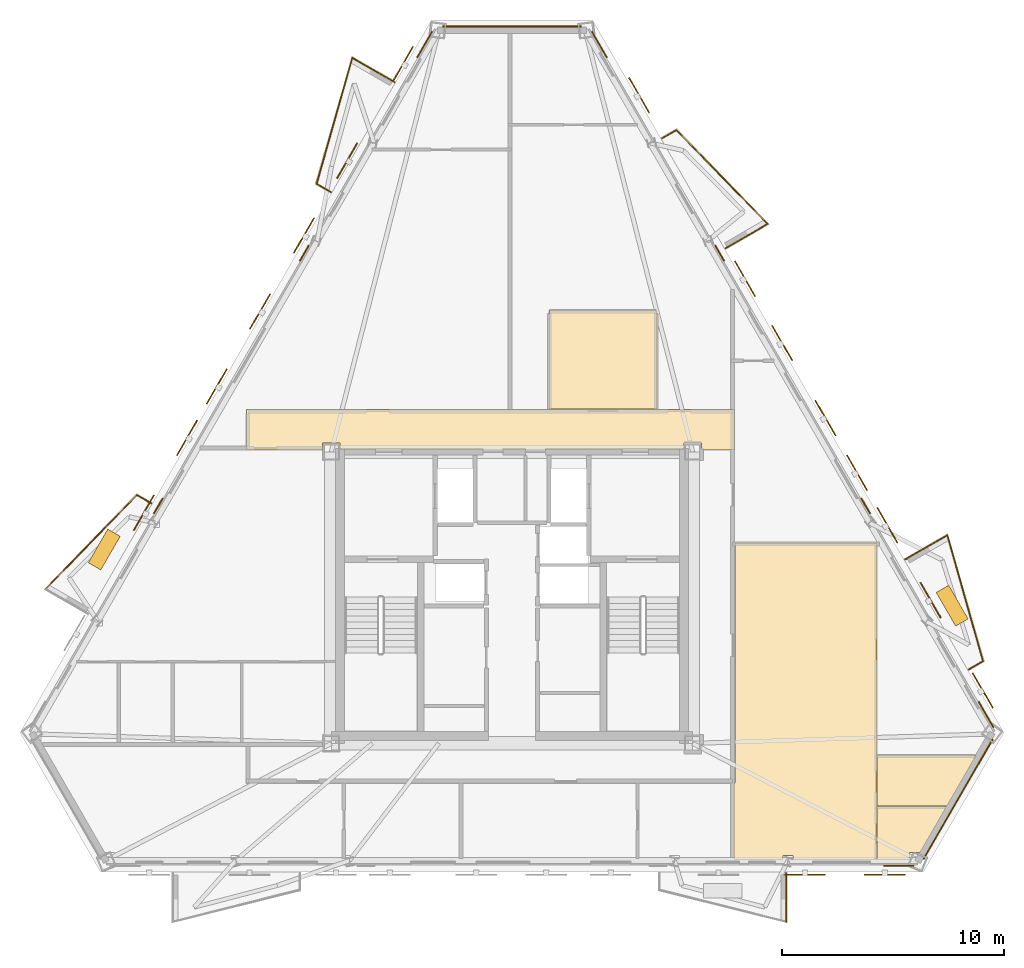
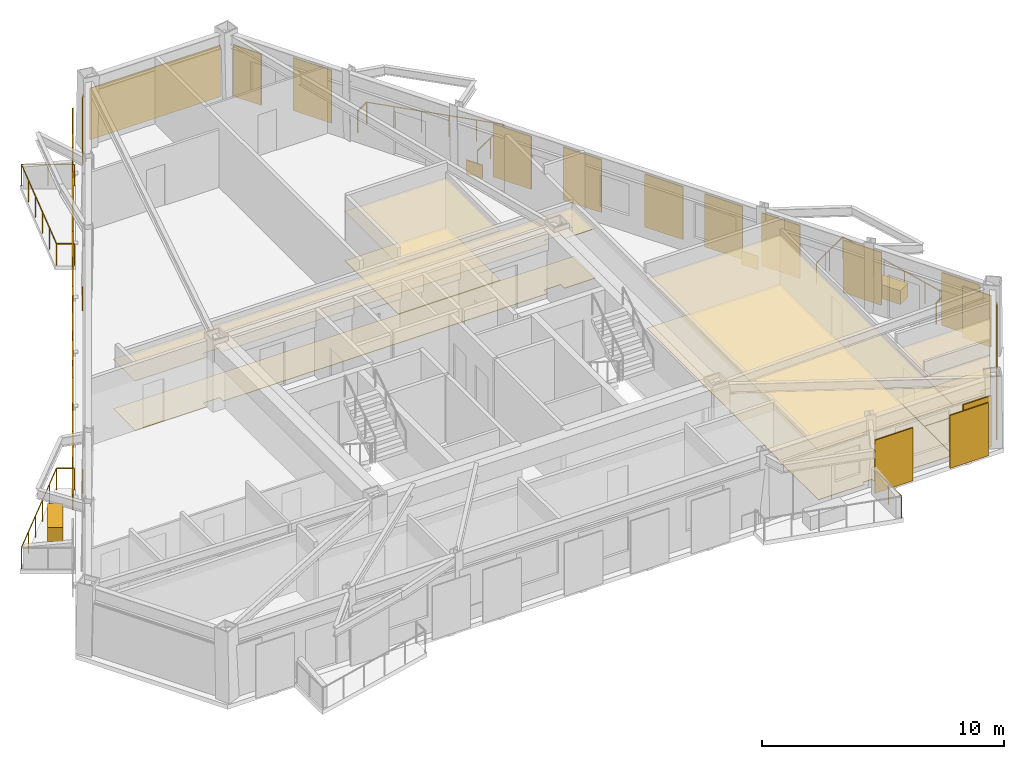
# One storey, part 8 of 8: 22 coverings, 17 shading devices, 12 railings.
"""IFC4 building model written with IfcOpenShell, lengths in metres."""

from ifc_helpers import new_model, si_unit, direction, frame, origin, origin_2d, place, context, subcontext, project, spatial, polyline, rectangle, circle, outline, extrude, material, layer, layer_set, type_object, element, save


model = new_model("IFC4")

# Units and contexts
model_context = context("Model", 3, precision=1e-05, world=origin(), true_north=direction((0.0, 1.0)))
body_context = subcontext(model_context, "Body", "Model", "MODEL_VIEW")
ifc_project = project(units=[si_unit("LENGTHUNIT", "METRE"), si_unit("AREAUNIT", "SQUARE_METRE"), si_unit("VOLUMEUNIT", "CUBIC_METRE"), si_unit("PLANEANGLEUNIT", "RADIAN"), si_unit("MASSUNIT", "GRAM", prefix="KILO")], contexts=[model_context])

# Site, building, storey
site_placement = place(None, origin())
site = spatial("IfcSite", under=ifc_project, at=site_placement, CompositionType="ELEMENT")
building_placement = place(site_placement, origin())
building = spatial("IfcBuilding", under=site, at=building_placement, Name="Oramaril Tower", CompositionType="ELEMENT")
storey_placement = place(building_placement, frame((0.0, 0.0, 216.300048828125)))
storey = spatial("IfcBuildingStorey", under=building, at=storey_placement, Name="L57", CompositionType="ELEMENT", Elevation=216.300048828125)

# Coverings
ifc_material_1 = material(Name="Mineral Fibre Acoustic Ceiling")
ifc_layer_1 = layer(ifc_material_1, 0.02001953125)
ifc_layer_set_1 = layer_set([ifc_layer_1], Name="CVT-CEIL")
covering_type_1 = type_object("IfcCoveringType", Name="CVT-CEIL", PredefinedType="CEILING", material=ifc_layer_set_1)
covering_1_placement = place(storey_placement, frame((0.0, 0.0, 2.511962890625)))
element("IfcCovering", 1, at=covering_1_placement, inside=storey, type_object=covering_type_1, Name="L57 Acoustic Suspended Ceiling 2", PredefinedType="CEILING", context=body_context, shape_type="SweptSolid", body=[
    extrude(outline(polyline([(47.530029296875, 24.239990234375), (46.044921875, 24.239990234375), (46.044921875, 24.544921875), (45.2548828125, 24.544921875), (45.2548828125, 24.25), (29.7451171875, 24.25), (29.7451171875, 24.544921875), (28.955078125, 24.544921875), (28.955078125, 24.239990234375), (25.52001953125, 24.239990234375), (25.52001953125, 26.050048828125), (47.530029296875, 26.050048828125), (47.530029296875, 24.239990234375)])), origin(), (0.0, 0.0, 1.0), 0.02001953125),
])
covering_2_placement = place(storey_placement, frame((0.0, 0.0, 2.511962890625)))
element("IfcCovering", 2, at=covering_2_placement, inside=storey, type_object=covering_type_1, Name="L57 Acoustic Suspended Ceiling 4", PredefinedType="CEILING", context=body_context, shape_type="SweptSolid", body=[
    extrude(outline(polyline([(44.0419921875, 30.511962890625), (44.0419921875, 26.070068359375), (39.157958984375, 26.070068359375), (39.157958984375, 30.511962890625), (44.0419921875, 30.511962890625)])), origin(), (0.0, 0.0, 1.0), 0.02001953125),
])
covering_3_placement = place(storey_placement, frame((0.0, 0.0, 2.511962890625)))
element("IfcCovering", 3, at=covering_3_placement, inside=storey, type_object=covering_type_1, Name="L57 Acoustic Suspended Ceiling 14", PredefinedType="CEILING", context=body_context, shape_type="SweptSolid", body=[
    extrude(outline(polyline([(53.950927734375, 20.0419921875), (53.950927734375, 5.759765625), (50.1748046875, 5.759765625), (50.1748046875, 5.9375), (49.71728515625, 5.9375), (49.71728515625, 5.759765625), (47.511962890625, 5.759765625), (47.511962890625, 9.199951171875), (47.530029296875, 9.199951171875), (47.531982421875, 9.2001953125), (47.533935546875, 9.200439453125), (47.535888671875, 9.200927734375), (47.53759765625, 9.201416015625), (47.539306640625, 9.202392578125), (47.541015625, 9.203369140625), (47.542724609375, 9.20458984375), (47.544189453125, 9.205810546875), (47.54541015625, 9.207275390625), (47.546630859375, 9.208984375), (47.547607421875, 9.210693359375), (47.548583984375, 9.21240234375), (47.549072265625, 9.214111328125), (47.549560546875, 9.216064453125), (47.5498046875, 9.218017578125), (47.550048828125, 9.219970703125), (47.550048828125, 11.030029296875), (47.5498046875, 11.031982421875), (47.549560546875, 11.033935546875), (47.549072265625, 11.035888671875), (47.548583984375, 11.03759765625), (47.547607421875, 11.039306640625), (47.54736328125, 11.0400390625), (47.547607421875, 11.04052734375), (47.548583984375, 11.042236328125), (47.549072265625, 11.044189453125), (47.549560546875, 11.046142578125), (47.5498046875, 11.048095703125), (47.550048828125, 11.050048828125), (47.550048828125, 20.0419921875), (53.950927734375, 20.0419921875)])), origin(), (0.0, 0.0, 1.0), 0.02001953125),
])
covering_4_placement = place(storey_placement, frame((0.0, 0.0, 2.511962890625)))
element("IfcCovering", 4, at=covering_4_placement, inside=storey, type_object=covering_type_1, Name="L57 Acoustic Suspended Ceiling 15", PredefinedType="CEILING", context=body_context, shape_type="SweptSolid", body=[
    extrude(outline(polyline([(55.91650390625, 6.088134765625), (55.419189453125, 6.088134765625), (55.419189453125, 5.759765625), (53.970947265625, 5.759765625), (53.970947265625, 8.146728515625), (57.10498046875, 8.146728515625), (55.91650390625, 6.088134765625)])), origin(), (0.0, 0.0, 1.0), 0.02001953125),
])
covering_5_placement = place(storey_placement, frame((0.0, 0.0, 2.511962890625)))
element("IfcCovering", 5, at=covering_5_placement, inside=storey, type_object=covering_type_1, Name="L57 Acoustic Suspended Ceiling 16", PredefinedType="CEILING", context=body_context, shape_type="SweptSolid", body=[
    extrude(outline(polyline([(57.114990234375, 8.1640625), (57.114501953125, 8.164306640625), (57.11279296875, 8.165283203125), (57.111083984375, 8.166015625), (57.10888671875, 8.16650390625), (57.10693359375, 8.166748046875), (57.10498046875, 8.166748046875), (53.970947265625, 8.166748046875), (53.970947265625, 10.46630859375), (58.444091796875, 10.46630859375), (57.114990234375, 8.1640625)])), origin(), (0.0, 0.0, 1.0), 0.02001953125),
])
ifc_material_2 = material(Name="Warm Cream Limestone", Category="masonry")
ifc_layer_2 = layer(ifc_material_2, 0.050048828125)
ifc_layer_set_2 = layer_set([ifc_layer_2], Name="CVT-CLD")
covering_type_2 = type_object("IfcCoveringType", Name="CVT-CLD", PredefinedType="CLADDING", material=ifc_layer_set_2)
covering_6_placement = place(storey_placement, frame((54.939208984375, 5.483642578125, 0.0400390625), z_axis=(0.0, 0.0, 1.0), x_axis=(1.0, 0.0, 0.0)))
element("IfcCovering", 6, at=covering_6_placement, inside=storey, type_object=covering_type_2, Name="L57 Warm Cream Limestone Cladding", PredefinedType="CLADDING", context=body_context, shape_type="SweptSolid", body=[
    extrude(rectangle(XDim=1.35009765625, YDim=0.050048828125, at=origin_2d()), origin(), (0.0, 0.0, 1.0), 2.596923828125),
])
covering_7_placement = place(storey_placement, frame((57.61865234375, 8.484619140625, 0.0400390625), z_axis=(0.0, 0.0, 1.0), x_axis=(0.499992442484, 0.866029767075, 0.0)))
element("IfcCovering", 7, at=covering_7_placement, inside=storey, type_object=covering_type_2, Name="L57 Warm Cream Limestone Cladding", PredefinedType="CLADDING", context=body_context, shape_type="SweptSolid", body=[
    extrude(rectangle(XDim=6.23583984375, YDim=0.050048828125, at=origin_2d()), origin(), (0.0, 0.0, 1.0), 2.596923828125),
])
for number, where, z_axis, x_axis, name in (
    (8, (58.877685546875, 12.305419921875, 0.0400390625), (0.0, 0.0, 1.0), (-0.500001511499, 0.866024531118, 0.0), "L57 Warm Cream Limestone Cladding"),
    (9, (41.4384765625, 42.510986328125, 0.0400390625), (0.0, 0.0, 1.0), (-0.500001511499, 0.866024531118, 0.0), "L57 Warm Cream Limestone Cladding"),
):
    element("IfcCovering", number, at=place(storey_placement, frame(where, z_axis=z_axis, x_axis=x_axis)), inside=storey, type_object=covering_type_2, Name=name, PredefinedType="CLADDING", context=body_context, shape_type="SweptSolid", body=[
        extrude(rectangle(XDim=1.35009765625, YDim=0.050048828125, at=origin_2d()), origin(), (0.0, 0.0, 1.0), 2.596923828125),
    ])
for number, where, z_axis, x_axis, name in (
    (10, (53.4501953125, 21.7060546875, 0.0400390625), (0.0, 0.0, 1.0), (-0.500001511499, 0.866024531118, 0.0), "L57 Warm Cream Limestone Spandrel Cladding"),
    (11, (46.865966796875, 33.110107421875, 0.0400390625), (0.0, 0.0, 1.0), (-0.500001511499, 0.866024531118, 0.0), "L57 Warm Cream Limestone Spandrel Cladding"),
):
    element("IfcCovering", number, at=place(storey_placement, frame(where, z_axis=z_axis, x_axis=x_axis)), inside=storey, type_object=covering_type_2, Name=name, PredefinedType="CLADDING", context=body_context, shape_type="SweptSolid", body=[
        extrude(rectangle(XDim=0.800048828125, YDim=0.050048828125, at=origin_2d()), origin(), (0.0, 0.0, 1.0), 0.679931640625),
    ])
covering_8_placement = place(storey_placement, frame((37.5, 43.3310546875, 0.0400390625), z_axis=(0.0, 0.0, 1.0), x_axis=(-1.0, 0.0, 0.0)))
element("IfcCovering", 12, at=covering_8_placement, inside=storey, type_object=covering_type_2, Name="L57 Warm Cream Limestone Cladding", PredefinedType="CLADDING", context=body_context, shape_type="SweptSolid", body=[
    extrude(rectangle(XDim=6.23583984375, YDim=0.050048828125, at=origin_2d()), origin(), (0.0, 0.0, 1.0), 2.596923828125),
])
covering_9_placement = place(storey_placement, frame((33.5615234375, 42.510986328125, 0.0400390625), z_axis=(0.0, 0.0, 1.0), x_axis=(-0.500001511499, -0.866024531118, 0.0)))
element("IfcCovering", 13, at=covering_9_placement, inside=storey, type_object=covering_type_2, Name="L57 Warm Cream Limestone Cladding", PredefinedType="CLADDING", context=body_context, shape_type="SweptSolid", body=[
    extrude(rectangle(XDim=1.35009765625, YDim=0.050048828125, at=origin_2d()), origin(), (0.0, 0.0, 1.0), 2.596923828125),
])
for number, where, z_axis, x_axis, name in (
    (14, (28.134033203125, 33.110107421875, 0.0400390625), (0.0, 0.0, 1.0), (-0.500001511499, -0.866024531118, 0.0), "L57 Warm Cream Limestone Spandrel Cladding"),
    (15, (21.5498046875, 21.7060546875, 0.0400390625), (0.0, 0.0, 1.0), (-0.500001511499, -0.866024531118, 0.0), "L57 Warm Cream Limestone Spandrel Cladding"),
):
    element("IfcCovering", number, at=place(storey_placement, frame(where, z_axis=z_axis, x_axis=x_axis)), inside=storey, type_object=covering_type_2, Name=name, PredefinedType="CLADDING", context=body_context, shape_type="SweptSolid", body=[
        extrude(rectangle(XDim=0.800048828125, YDim=0.050048828125, at=origin_2d()), origin(), (0.0, 0.0, 1.0), 0.679931640625),
    ])
for number, where, z_axis, x_axis, name in (
    (16, (57.350341796875, 17.2080078125, 0.0), (0.0, 0.0, 1.0), (-0.500001511499, 0.866024531118, 0.0), "L57 Structural Tree Planter Box L57-BAL-NE1"),
    (17, (19.112060546875, 19.740966796875, 0.0), (0.0, 0.0, 1.0), (-0.500001511499, -0.866024531118, 0.0), "L57 Structural Tree Planter Box L57-BAL-NW2"),
):
    element("IfcCovering", number, at=place(storey_placement, frame(where, z_axis=z_axis, x_axis=x_axis)), inside=storey, type_object=covering_type_2, Name=name, PredefinedType="CLADDING", context=body_context, shape_type="SweptSolid", body=[
        extrude(rectangle(XDim=1.75, YDim=0.64990234375, at=origin_2d()), origin(), (0.0, 0.0, 1.0), 0.699951171875),
    ])
ifc_material_3 = material(Name="Honed Quartzite Stone Flooring", Category="masonry")
ifc_layer_3 = layer(ifc_material_3, 0.02490234375)
ifc_layer_set_3 = layer_set([ifc_layer_3], Name="CVT-FLR")
covering_type_3 = type_object("IfcCoveringType", Name="CVT-FLR", PredefinedType="FLOORING", material=ifc_layer_set_3)
covering_10_placement = place(storey_placement, origin())
element("IfcCovering", 18, at=covering_10_placement, inside=storey, type_object=covering_type_3, Name="L57 Honed Stone Floor Finish 2", PredefinedType="FLOORING", context=body_context, shape_type="SweptSolid", body=[
    extrude(outline(polyline([(47.530029296875, 24.239990234375), (46.044921875, 24.239990234375), (46.044921875, 24.544921875), (45.2548828125, 24.544921875), (45.2548828125, 24.25), (29.7451171875, 24.25), (29.7451171875, 24.544921875), (28.955078125, 24.544921875), (28.955078125, 24.239990234375), (25.52001953125, 24.239990234375), (25.52001953125, 26.050048828125), (47.530029296875, 26.050048828125), (47.530029296875, 24.239990234375)])), origin(), (0.0, 0.0, 1.0), 0.02490234375),
])
covering_11_placement = place(storey_placement, origin())
element("IfcCovering", 19, at=covering_11_placement, inside=storey, type_object=covering_type_3, Name="L57 Honed Stone Floor Finish 4", PredefinedType="FLOORING", context=body_context, shape_type="SweptSolid", body=[
    extrude(outline(polyline([(44.0419921875, 30.511962890625), (44.0419921875, 26.070068359375), (39.157958984375, 26.070068359375), (39.157958984375, 30.511962890625), (44.0419921875, 30.511962890625)])), origin(), (0.0, 0.0, 1.0), 0.02490234375),
])
covering_12_placement = place(storey_placement, origin())
element("IfcCovering", 20, at=covering_12_placement, inside=storey, type_object=covering_type_3, Name="L57 Honed Stone Floor Finish 14", PredefinedType="FLOORING", context=body_context, shape_type="SweptSolid", body=[
    extrude(outline(polyline([(53.950927734375, 20.0419921875), (53.950927734375, 5.759765625), (50.1748046875, 5.759765625), (50.1748046875, 5.9375), (49.71728515625, 5.9375), (49.71728515625, 5.759765625), (47.511962890625, 5.759765625), (47.511962890625, 9.199951171875), (47.530029296875, 9.199951171875), (47.531982421875, 9.2001953125), (47.533935546875, 9.200439453125), (47.535888671875, 9.200927734375), (47.53759765625, 9.201416015625), (47.539306640625, 9.202392578125), (47.541015625, 9.203369140625), (47.542724609375, 9.20458984375), (47.544189453125, 9.205810546875), (47.54541015625, 9.207275390625), (47.546630859375, 9.208984375), (47.547607421875, 9.210693359375), (47.548583984375, 9.21240234375), (47.549072265625, 9.214111328125), (47.549560546875, 9.216064453125), (47.5498046875, 9.218017578125), (47.550048828125, 9.219970703125), (47.550048828125, 11.030029296875), (47.5498046875, 11.031982421875), (47.549560546875, 11.033935546875), (47.549072265625, 11.035888671875), (47.548583984375, 11.03759765625), (47.547607421875, 11.039306640625), (47.54736328125, 11.0400390625), (47.547607421875, 11.04052734375), (47.548583984375, 11.042236328125), (47.549072265625, 11.044189453125), (47.549560546875, 11.046142578125), (47.5498046875, 11.048095703125), (47.550048828125, 11.050048828125), (47.550048828125, 20.0419921875), (53.950927734375, 20.0419921875)])), origin(), (0.0, 0.0, 1.0), 0.02490234375),
])
covering_13_placement = place(storey_placement, origin())
element("IfcCovering", 21, at=covering_13_placement, inside=storey, type_object=covering_type_3, Name="L57 Honed Stone Floor Finish 15", PredefinedType="FLOORING", context=body_context, shape_type="SweptSolid", body=[
    extrude(outline(polyline([(55.91650390625, 6.088134765625), (55.419189453125, 6.088134765625), (55.419189453125, 5.759765625), (53.970947265625, 5.759765625), (53.970947265625, 8.146728515625), (57.10498046875, 8.146728515625), (55.91650390625, 6.088134765625)])), origin(), (0.0, 0.0, 1.0), 0.02490234375),
])
covering_14_placement = place(storey_placement, origin())
element("IfcCovering", 22, at=covering_14_placement, inside=storey, type_object=covering_type_3, Name="L57 Honed Stone Floor Finish 16", PredefinedType="FLOORING", context=body_context, shape_type="SweptSolid", body=[
    extrude(outline(polyline([(57.114990234375, 8.1640625), (57.114501953125, 8.164306640625), (57.11279296875, 8.165283203125), (57.111083984375, 8.166015625), (57.10888671875, 8.16650390625), (57.10693359375, 8.166748046875), (57.10498046875, 8.166748046875), (53.970947265625, 8.166748046875), (53.970947265625, 10.46630859375), (58.444091796875, 10.46630859375), (57.114990234375, 8.1640625)])), origin(), (0.0, 0.0, 1.0), 0.02490234375),
])

# Railings
ifc_material_4 = material(Name="Stainless Steel 316L", Category="steel")
railing_type = type_object("IfcRailingType", Name="RLT-GRD", PredefinedType="GUARDRAIL", material=ifc_material_4)
railing_1_placement = place(storey_placement, frame((49.869873046875, 5.143798828125, 0.0)))
element("IfcRailing", 23, at=railing_1_placement, inside=storey, type_object=railing_type, Name="L57 Balcony Guardrail L57-BAL-S2.1", PredefinedType="GUARDRAIL", context=body_context, shape_type="SweptSolid", body=[
    extrude(circle(Radius=0.02392578125, at=origin_2d()), frame((0.0, 0.0, 1.076171875), z_axis=(0.0, -1.0, 0.0), x_axis=(1.0, 0.0, 0.0)), (0.0, 0.0, 1.0), 2.192138671875),
    extrude(circle(Radius=0.02099609375, at=origin_2d()), origin(), (0.0, 0.0, 1.0), 1.052001953125),
    extrude(circle(Radius=0.02099609375, at=origin_2d()), frame((0.0, -1.09619140625, 0.0)), (0.0, 0.0, 1.0), 1.052001953125),
    extrude(circle(Radius=0.02099609375, at=origin_2d()), frame((0.0, -2.192138671875, 0.0)), (0.0, 0.0, 1.0), 1.052001953125),
])
railing_2_placement = place(storey_placement, frame((55.235107421875, 19.294677734375, 0.0)))
element("IfcRailing", 24, at=railing_2_placement, inside=storey, type_object=railing_type, Name="L57 Balcony Guardrail L57-BAL-NE1.1", PredefinedType="GUARDRAIL", context=body_context, shape_type="SweptSolid", body=[
    extrude(circle(Radius=0.02392578125, at=origin_2d()), frame((0.0, 0.0, 1.076171875), z_axis=(0.866020500697, 0.5000084923, 0.0), x_axis=(-0.5000084923, 0.866020500697, 0.0)), (0.0, 0.0, 1.0), 2.19189453125),
    extrude(circle(Radius=0.02099609375, at=origin_2d()), origin(), (0.0, 0.0, 1.0), 1.052001953125),
    extrude(circle(Radius=0.02099609375, at=origin_2d()), frame((0.94921875, 0.5478515625, 0.0)), (0.0, 0.0, 1.0), 1.052001953125),
    extrude(circle(Radius=0.02099609375, at=origin_2d()), frame((1.898193359375, 1.095947265625, 0.0)), (0.0, 0.0, 1.0), 1.052001953125),
])
railing_3_placement = place(storey_placement, frame((57.13330078125, 20.390625, 0.0)))
element("IfcRailing", 25, at=railing_3_placement, inside=storey, type_object=railing_type, Name="L57 Balcony Guardrail L57-BAL-NE1.2", PredefinedType="GUARDRAIL", context=body_context, shape_type="SweptSolid", body=[
    extrude(circle(Radius=0.02392578125, at=origin_2d()), frame((0.0, 0.0, 1.076171875), z_axis=(0.272259686627, -0.962223811303, 0.0), x_axis=(0.962223811303, 0.272259686627, 0.0)), (0.0, 0.0, 1.0), 5.910400390625),
    extrude(circle(Radius=0.02099609375, at=origin_2d()), origin(), (0.0, 0.0, 1.0), 1.052001953125),
    extrude(circle(Radius=0.02099609375, at=origin_2d()), frame((0.32177734375, -1.137451171875, 0.0)), (0.0, 0.0, 1.0), 1.052001953125),
    extrude(circle(Radius=0.02099609375, at=origin_2d()), frame((0.6435546875, -2.27490234375, 0.0)), (0.0, 0.0, 1.0), 1.052001953125),
    extrude(circle(Radius=0.02099609375, at=origin_2d()), frame((0.965576171875, -3.412109375, 0.0)), (0.0, 0.0, 1.0), 1.052001953125),
    extrude(circle(Radius=0.02099609375, at=origin_2d()), frame((1.287353515625, -4.549560546875, 0.0)), (0.0, 0.0, 1.0), 1.052001953125),
    extrude(circle(Radius=0.02099609375, at=origin_2d()), frame((1.609130859375, -5.68701171875, 0.0)), (0.0, 0.0, 1.0), 1.052001953125),
])
railing_4_placement = place(storey_placement, frame((58.742431640625, 14.70361328125, 0.0)))
element("IfcRailing", 26, at=railing_4_placement, inside=storey, type_object=railing_type, Name="L57 Balcony Guardrail L57-BAL-NE1.3", PredefinedType="GUARDRAIL", context=body_context, shape_type="SweptSolid", body=[
    extrude(circle(Radius=0.02392578125, at=origin_2d()), frame((0.0, 0.0, 1.076171875), z_axis=(-0.865884080729, -0.500244698863, 0.0), x_axis=(0.500244698863, -0.865884080729, 0.0)), (0.0, 0.0, 1.0), 0.741943359375),
    extrude(circle(Radius=0.02099609375, at=origin_2d()), origin(), (0.0, 0.0, 1.0), 1.052001953125),
    extrude(circle(Radius=0.02099609375, at=origin_2d()), frame((-0.642333984375, -0.37109375, 0.0)), (0.0, 0.0, 1.0), 1.052001953125),
])
railing_5_placement = place(storey_placement, frame((44.267578125, 38.290771484375, 0.0)))
element("IfcRailing", 27, at=railing_5_placement, inside=storey, type_object=railing_type, Name="L57 Balcony Guardrail L57-BAL-NE2.1", PredefinedType="GUARDRAIL", context=body_context, shape_type="SweptSolid", body=[
    extrude(circle(Radius=0.02392578125, at=origin_2d()), frame((0.0, 0.0, 1.076171875), z_axis=(0.866108878364, 0.499855389907, 0.0), x_axis=(-0.499855389907, 0.866108878364, 0.0)), (0.0, 0.0, 1.0), 0.741943359375),
    extrude(circle(Radius=0.02099609375, at=origin_2d()), origin(), (0.0, 0.0, 1.0), 1.052001953125),
    extrude(circle(Radius=0.02099609375, at=origin_2d()), frame((0.642578125, 0.370849609375, 0.0)), (0.0, 0.0, 1.0), 1.052001953125),
])
railing_6_placement = place(storey_placement, frame((44.91015625, 38.66162109375, 0.0)))
element("IfcRailing", 28, at=railing_6_placement, inside=storey, type_object=railing_type, Name="L57 Balcony Guardrail L57-BAL-NE2.2", PredefinedType="GUARDRAIL", context=body_context, shape_type="SweptSolid", body=[
    extrude(circle(Radius=0.02392578125, at=origin_2d()), frame((0.0, 0.0, 1.076171875), z_axis=(0.697207560153, -0.716869317285, 0.0), x_axis=(0.716869317285, 0.697207560153, 0.0)), (0.0, 0.0, 1.0), 5.910400390625),
    extrude(circle(Radius=0.02099609375, at=origin_2d()), origin(), (0.0, 0.0, 1.0), 1.052001953125),
    extrude(circle(Radius=0.02099609375, at=origin_2d()), frame((0.82421875, -0.847412109375, 0.0)), (0.0, 0.0, 1.0), 1.052001953125),
    extrude(circle(Radius=0.02099609375, at=origin_2d()), frame((1.6484375, -1.69482421875, 0.0)), (0.0, 0.0, 1.0), 1.052001953125),
    extrude(circle(Radius=0.02099609375, at=origin_2d()), frame((2.472412109375, -2.542236328125, 0.0)), (0.0, 0.0, 1.0), 1.052001953125),
    extrude(circle(Radius=0.02099609375, at=origin_2d()), frame((3.296630859375, -3.3896484375, 0.0)), (0.0, 0.0, 1.0), 1.052001953125),
    extrude(circle(Radius=0.02099609375, at=origin_2d()), frame((4.120849609375, -4.237060546875, 0.0)), (0.0, 0.0, 1.0), 1.052001953125),
])
railing_7_placement = place(storey_placement, frame((49.031005859375, 34.424560546875, 0.0)))
element("IfcRailing", 29, at=railing_7_placement, inside=storey, type_object=railing_type, Name="L57 Balcony Guardrail L57-BAL-NE2.3", PredefinedType="GUARDRAIL", context=body_context, shape_type="SweptSolid", body=[
    extrude(circle(Radius=0.02392578125, at=origin_2d()), frame((0.0, 0.0, 1.076171875), z_axis=(-0.866048343933, -0.499960264392, 0.0), x_axis=(0.499960264392, -0.866048343933, 0.0)), (0.0, 0.0, 1.0), 2.192138671875),
    extrude(circle(Radius=0.02099609375, at=origin_2d()), origin(), (0.0, 0.0, 1.0), 1.052001953125),
    extrude(circle(Radius=0.02099609375, at=origin_2d()), frame((-0.94921875, -0.5478515625, 0.0)), (0.0, 0.0, 1.0), 1.052001953125),
    extrude(circle(Radius=0.02099609375, at=origin_2d()), frame((-1.8984375, -1.095947265625, 0.0)), (0.0, 0.0, 1.0), 1.052001953125),
])
railing_8_placement = place(storey_placement, frame((29.329833984375, 35.861572265625, 0.0)))
element("IfcRailing", 30, at=railing_8_placement, inside=storey, type_object=railing_type, Name="L57 Balcony Guardrail L57-BAL-NW1.1", PredefinedType="GUARDRAIL", context=body_context, shape_type="SweptSolid", body=[
    extrude(circle(Radius=0.02392578125, at=origin_2d()), frame((0.0, 0.0, 1.076171875), z_axis=(-0.865884080729, 0.500244698863, 0.0), x_axis=(-0.500244698863, -0.865884080729, 0.0)), (0.0, 0.0, 1.0), 0.741943359375),
    extrude(circle(Radius=0.02099609375, at=origin_2d()), origin(), (0.0, 0.0, 1.0), 1.052001953125),
    extrude(circle(Radius=0.02099609375, at=origin_2d()), frame((-0.642333984375, 0.37109375, 0.0)), (0.0, 0.0, 1.0), 1.052001953125),
])
railing_9_placement = place(storey_placement, frame((28.6875, 36.232666015625, 0.0)))
element("IfcRailing", 31, at=railing_9_placement, inside=storey, type_object=railing_type, Name="L57 Balcony Guardrail L57-BAL-NW1.2", PredefinedType="GUARDRAIL", context=body_context, shape_type="SweptSolid", body=[
    extrude(circle(Radius=0.02392578125, at=origin_2d()), frame((0.0, 0.0, 1.076171875), z_axis=(0.27224886544, 0.962226873074, 0.0), x_axis=(-0.962226873074, 0.27224886544, 0.0)), (0.0, 0.0, 1.0), 5.910400390625),
    extrude(circle(Radius=0.02099609375, at=origin_2d()), origin(), (0.0, 0.0, 1.0), 1.052001953125),
    extrude(circle(Radius=0.02099609375, at=origin_2d()), frame((0.32177734375, 1.137451171875, 0.0)), (0.0, 0.0, 1.0), 1.052001953125),
    extrude(circle(Radius=0.02099609375, at=origin_2d()), frame((0.6435546875, 2.27490234375, 0.0)), (0.0, 0.0, 1.0), 1.052001953125),
    extrude(circle(Radius=0.02099609375, at=origin_2d()), frame((0.965576171875, 3.412353515625, 0.0)), (0.0, 0.0, 1.0), 1.052001953125),
    extrude(circle(Radius=0.02099609375, at=origin_2d()), frame((1.287353515625, 4.5498046875, 0.0)), (0.0, 0.0, 1.0), 1.052001953125),
    extrude(circle(Radius=0.02099609375, at=origin_2d()), frame((1.609130859375, 5.687255859375, 0.0)), (0.0, 0.0, 1.0), 1.052001953125),
])
railing_10_placement = place(storey_placement, frame((30.296630859375, 41.919921875, 0.0)))
element("IfcRailing", 32, at=railing_10_placement, inside=storey, type_object=railing_type, Name="L57 Balcony Guardrail L57-BAL-NW1.3", PredefinedType="GUARDRAIL", context=body_context, shape_type="SweptSolid", body=[
    extrude(circle(Radius=0.02392578125, at=origin_2d()), frame((0.0, 0.0, 1.076171875), z_axis=(0.865972267571, -0.50009202333, 0.0), x_axis=(0.50009202333, 0.865972267571, 0.0)), (0.0, 0.0, 1.0), 2.19189453125),
    extrude(circle(Radius=0.02099609375, at=origin_2d()), origin(), (0.0, 0.0, 1.0), 1.052001953125),
    extrude(circle(Radius=0.02099609375, at=origin_2d()), frame((0.94921875, -0.548095703125, 0.0)), (0.0, 0.0, 1.0), 1.052001953125),
    extrude(circle(Radius=0.02099609375, at=origin_2d()), frame((1.898193359375, -1.09619140625, 0.0)), (0.0, 0.0, 1.0), 1.052001953125),
])
railing_11_placement = place(storey_placement, frame((16.464111328125, 17.961669921875, 0.0)))
element("IfcRailing", 33, at=railing_11_placement, inside=storey, type_object=railing_type, Name="L57 Balcony Guardrail L57-BAL-NW2.2", PredefinedType="GUARDRAIL", context=body_context, shape_type="SweptSolid", body=[
    extrude(circle(Radius=0.02392578125, at=origin_2d()), frame((0.0, 0.0, 1.076171875), z_axis=(0.697207560153, 0.716869317285, 0.0), x_axis=(-0.716869317285, 0.697207560153, 0.0)), (0.0, 0.0, 1.0), 5.910400390625),
    extrude(circle(Radius=0.02099609375, at=origin_2d()), origin(), (0.0, 0.0, 1.0), 1.052001953125),
    extrude(circle(Radius=0.02099609375, at=origin_2d()), frame((0.82421875, 0.847412109375, 0.0)), (0.0, 0.0, 1.0), 1.052001953125),
    extrude(circle(Radius=0.02099609375, at=origin_2d()), frame((1.6484375, 1.69482421875, 0.0)), (0.0, 0.0, 1.0), 1.052001953125),
    extrude(circle(Radius=0.02099609375, at=origin_2d()), frame((2.472412109375, 2.542236328125, 0.0)), (0.0, 0.0, 1.0), 1.052001953125),
    extrude(circle(Radius=0.02099609375, at=origin_2d()), frame((3.296630859375, 3.3896484375, 0.0)), (0.0, 0.0, 1.0), 1.052001953125),
    extrude(circle(Radius=0.02099609375, at=origin_2d()), frame((4.120849609375, 4.237060546875, 0.0)), (0.0, 0.0, 1.0), 1.052001953125),
])
railing_12_placement = place(storey_placement, frame((20.5849609375, 22.19873046875, 0.0)))
element("IfcRailing", 34, at=railing_12_placement, inside=storey, type_object=railing_type, Name="L57 Balcony Guardrail L57-BAL-NW2.3", PredefinedType="GUARDRAIL", context=body_context, shape_type="SweptSolid", body=[
    extrude(circle(Radius=0.02392578125, at=origin_2d()), frame((0.0, 0.0, 1.076171875), z_axis=(0.866108878364, -0.499855389907, 0.0), x_axis=(0.499855389907, 0.866108878364, 0.0)), (0.0, 0.0, 1.0), 0.741943359375),
    extrude(circle(Radius=0.02099609375, at=origin_2d()), origin(), (0.0, 0.0, 1.0), 1.052001953125),
    extrude(circle(Radius=0.02099609375, at=origin_2d()), frame((0.642578125, -0.370849609375, 0.0)), (0.0, 0.0, 1.0), 1.052001953125),
])

# Shading devices
for number, where, z_axis, x_axis, name in (
    (35, (50.7158203125, 5.07177734375, -0.02001953125), (0.0, 0.0, 1.0), (1.0, 0.0, 0.0), "L57 Perforated Ceramic Solar Screen"),
    (36, (54.3076171875, 5.07177734375, -0.02001953125), (0.0, 0.0, 1.0), (1.0, 0.0, 0.0), "L57 Perforated Ceramic Solar Screen"),
    (37, (56.378173828125, 17.458740234375, -0.02001953125), (0.0, 0.0, 1.0), (-0.500001511499, 0.866024531118, 0.0), "L57 Perforated Ceramic Solar Screen"),
    (38, (54.427978515625, 20.836181640625, -0.02001953125), (0.0, 0.0, 1.0), (-0.500001511499, 0.866024531118, 0.0), "L57 Perforated Ceramic Solar Screen"),
    (39, (58.730712890625, 13.3837890625, -0.02001953125), (0.0, 0.0, 1.0), (-0.500001511499, 0.866024531118, 0.0), "L57 Perforated Ceramic Solar Screen"),
    (40, (53.059814453125, 23.206298828125, -0.02001953125), (0.0, 0.0, 1.0), (-0.500001511499, 0.866024531118, 0.0), "L57 Perforated Ceramic Solar Screen"),
    (41, (51.63330078125, 25.6767578125, -0.02001953125), (0.0, 0.0, 1.0), (-0.500001511499, 0.866024531118, 0.0), "L57 Perforated Ceramic Solar Screen"),
    (42, (49.683349609375, 29.05419921875, -0.02001953125), (0.0, 0.0, 1.0), (-0.500001511499, 0.866024531118, 0.0), "L57 Perforated Ceramic Solar Screen"),
    (43, (48.0078125, 31.956298828125, -0.02001953125), (0.0, 0.0, 1.0), (-0.500001511499, 0.866024531118, 0.0), "L57 Perforated Ceramic Solar Screen"),
    (44, (43.233642578125, 40.225341796875, -0.02001953125), (0.0, 0.0, 1.0), (-0.500001511499, 0.866024531118, 0.0), "L57 Perforated Ceramic Solar Screen"),
    (45, (22.84765625, 24.77783203125, -0.02001953125), (0.0, 0.0, 1.0), (-0.500001511499, -0.866024531118, 0.0), "L57 Perforated Ceramic Solar Screen"),
    (46, (20.897705078125, 21.400390625, -0.02001953125), (0.0, 0.0, 1.0), (-0.500001511499, -0.866024531118, 0.0), "L57 Perforated Ceramic Solar Screen"),
    (47, (30.06494140625, 37.27880859375, -0.02001953125), (0.0, 0.0, 1.0), (-0.500001511499, -0.866024531118, 0.0), "L57 Perforated Ceramic Solar Screen"),
    (48, (28.114990234375, 33.901123046875, -0.02001953125), (0.0, 0.0, 1.0), (-0.500001511499, -0.866024531118, 0.0), "L57 Perforated Ceramic Solar Screen"),
    (49, (26.13623046875, 30.47412109375, -0.02001953125), (0.0, 0.0, 1.0), (-0.500001511499, -0.866024531118, 0.0), "L57 Perforated Ceramic Solar Screen"),
    (50, (24.186279296875, 27.096435546875, -0.02001953125), (0.0, 0.0, 1.0), (-0.500001511499, -0.866024531118, 0.0), "L57 Perforated Ceramic Solar Screen"),
    (51, (32.579345703125, 41.6337890625, -0.02001953125), (0.0, 0.0, 1.0), (-0.500001511499, -0.866024531118, 0.0), "L57 Perforated Ceramic Solar Screen"),
):
    element("IfcShadingDevice", number, at=place(storey_placement, frame(where, z_axis=z_axis, x_axis=x_axis)), inside=storey, Name=name, ObjectType="SCREEN", PredefinedType="USERDEFINED", context=body_context, shape_type="SweptSolid", body=[
        extrude(rectangle(XDim=1.8330078125, YDim=0.050048828125, at=origin_2d()), origin(), (0.0, 0.0, 1.0), 2.677001953125),
    ])

save(model, "model.ifc")
